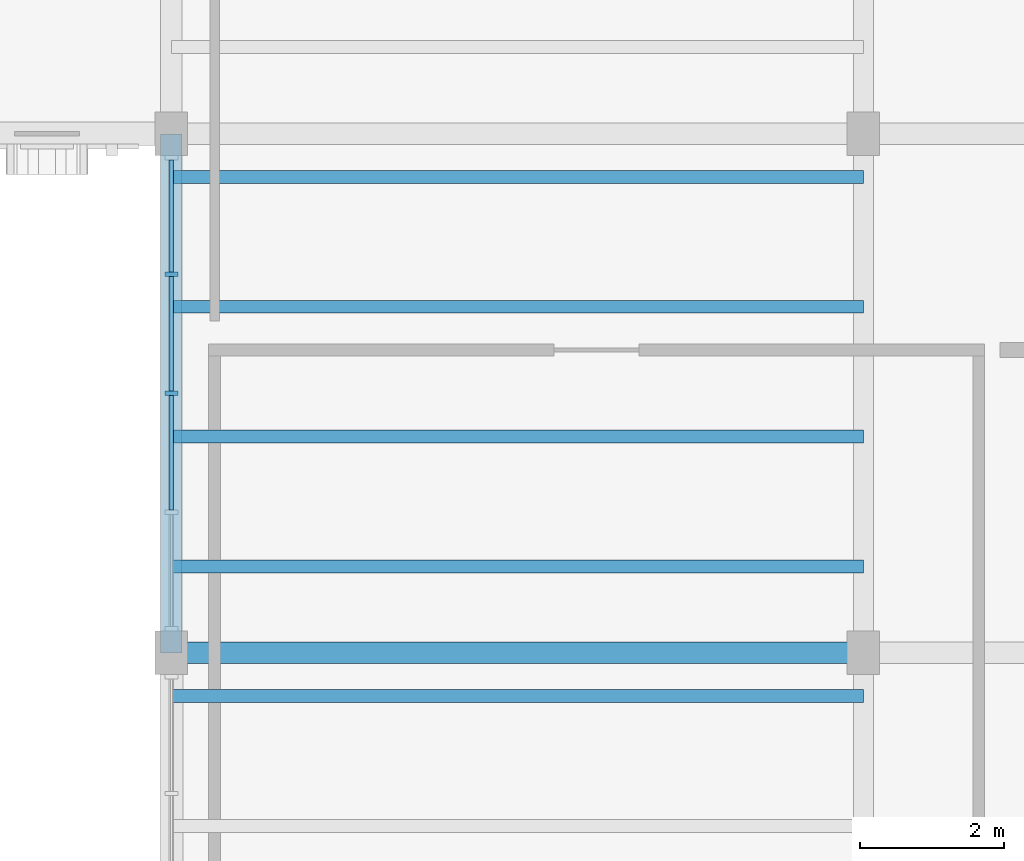
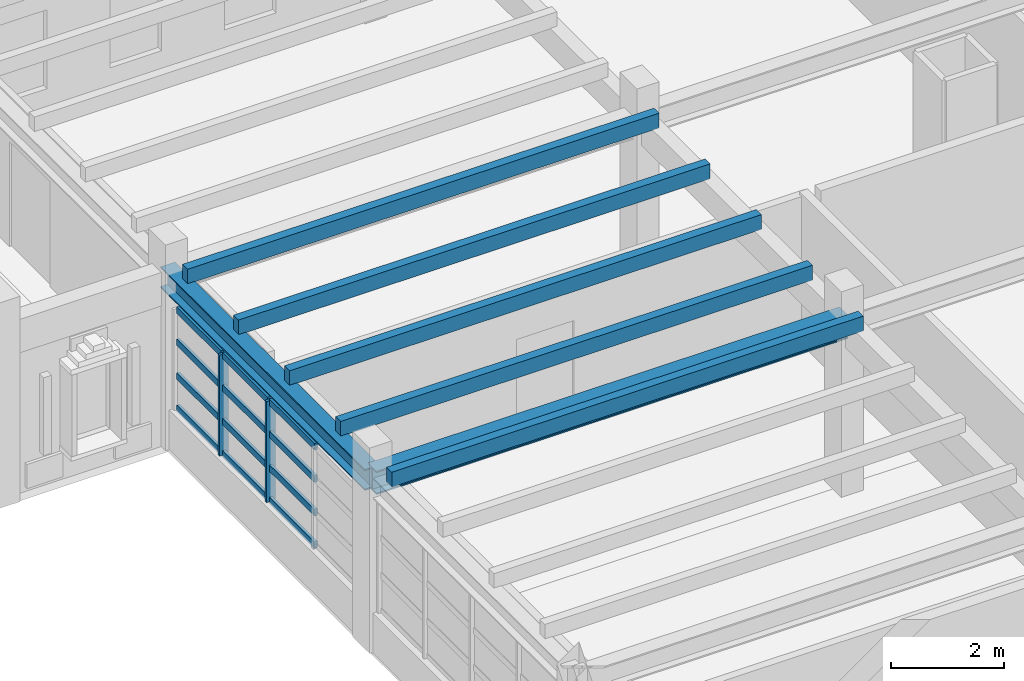
# One storey, part 22 of 69: 19 members, 2 beams, 1 element without a shape of its own.
"""IFC4 building model written with IfcOpenShell, lengths in metres."""

import ifcopenshell
import ifcopenshell.guid

model = None  # the IFC model being written
_history = None  # IfcOwnerHistory: only IFC2X3 demands one
_inside = {}  # id of a spatial element -> (the spatial element, [elements in it])
_under = {}  # id of a project, library or spatial element -> (it, [spatial elements below it])
_declared = {}  # id of a project -> (the project, [libraries it declares])
_typed = {}  # id of a type object -> (the type object, [elements of that type])
_made_of = {}  # id of a material, layer set ... -> (it, [elements and type objects made of it])


def new_model(schema):
    """Start an empty IFC model of exactly this schema.

    Asked for "IFC4X3", IfcOpenShell would pick the latest addendum, in which some entities
    have other attributes; the version numbers below select the first issue.
    IFC2X3 requires an IfcOwnerHistory on every rooted entity: one is made here for all.
    """
    global model, _history
    if schema == "IFC4X3":
        model = ifcopenshell.file(schema_version=(4, 3, 0, 0))
    else:
        model = ifcopenshell.file(schema=schema)
    _inside.clear()
    _under.clear()
    _declared.clear()
    _typed.clear()
    _made_of.clear()
    _history = None
    if model.schema == "IFC2X3":
        org = make("IfcOrganization", Name="unknown")
        user = make(
            "IfcPersonAndOrganization",
            ThePerson=make("IfcPerson", FamilyName="unknown"),
            TheOrganization=org,
        )
        app = make(
            "IfcApplication",
            ApplicationDeveloper=org,
            Version="unknown",
            ApplicationFullName="unknown",
            ApplicationIdentifier="unknown",
        )
        _history = make(
            "IfcOwnerHistory",
            OwningUser=user,
            OwningApplication=app,
            ChangeAction="ADDED",
            CreationDate=0,
        )
    return model


def make(cls, **values):
    """One entity of the class cls with the attributes given. An attribute that is None is left unset."""
    return model.create_entity(
        cls, **{name: value for name, value in values.items() if value is not None}
    )


def rooted(cls, **values):
    """An entity with a GlobalId (a new one), such as an element, a storey or a relation."""
    return make(cls, GlobalId=ifcopenshell.guid.new(), OwnerHistory=_history, **values)


def si_unit(unit_type, name, prefix=None):
    """IfcSIUnit, for example si_unit("LENGTHUNIT", "METRE", prefix="MILLI")."""
    return make("IfcSIUnit", UnitType=unit_type, Prefix=prefix, Name=name)


def assignment(units):
    """IfcUnitAssignment: the units of a project."""
    return None if units is None else make("IfcUnitAssignment", Units=units)


def point(xyz):
    """IfcCartesianPoint."""
    return None if xyz is None else make("IfcCartesianPoint", Coordinates=xyz)


def direction(xyz):
    """IfcDirection."""
    return None if xyz is None else make("IfcDirection", DirectionRatios=xyz)


def frame(location, z_axis=None, x_axis=None):
    """IfcAxis2Placement3D, a coordinate frame: its origin and axes. An axis left out is left unset."""
    return make(
        "IfcAxis2Placement3D",
        Location=point(location),
        Axis=direction(z_axis),
        RefDirection=direction(x_axis),
    )


def frame_2d(location, x_axis=None):
    """IfcAxis2Placement2D, a coordinate frame in the plane: its origin and x axis."""
    return make(
        "IfcAxis2Placement2D", Location=point(location), RefDirection=direction(x_axis)
    )


def origin():
    """The frame at (0, 0, 0) with its axes left unset."""
    return frame((0.0, 0.0, 0.0))


def origin_2d():
    """The frame at (0, 0) in the plane with its x axis left unset."""
    return frame_2d((0.0, 0.0))


def place(relative_to, where):
    """IfcLocalPlacement: puts the frame where relative to a parent placement (None: the world)."""
    return make(
        "IfcLocalPlacement", PlacementRelTo=relative_to, RelativePlacement=where
    )


def context(
    kind, dimensions, precision=None, world=None, true_north=None, identifier=None
):
    """IfcGeometricRepresentationContext, for example the 3D "Model" context."""
    return make(
        "IfcGeometricRepresentationContext",
        ContextIdentifier=identifier,
        ContextType=kind,
        CoordinateSpaceDimension=dimensions,
        Precision=precision,
        WorldCoordinateSystem=world,
        TrueNorth=true_north,
    )


def subcontext(parent, identifier, kind, view, scale=None):
    """IfcGeometricRepresentationSubContext, for example "Body" below "Model"."""
    return make(
        "IfcGeometricRepresentationSubContext",
        ContextIdentifier=identifier,
        ContextType=kind,
        ParentContext=parent,
        TargetScale=scale,
        TargetView=view,
    )


def project(units=None, contexts=None):
    """IfcProject with its units and contexts."""
    return rooted(
        "IfcProject",
        Name="project",
        RepresentationContexts=contexts,
        UnitsInContext=assignment(units),
    )


def spatial(cls, under=None, at=None, **own):
    """A site, building, storey or space (cls), placed at a placement, below another one or the project."""
    s = rooted(cls, ObjectPlacement=at, **own)
    if under is not None:
        _under.setdefault(under.id(), (under, []))[1].append(s)
    return s


def profile(cls, at=None, kind="AREA", **sizes):
    """A parametric profile (cls). Its sizes go by their IFC names, for example OverallWidth=200.0."""
    return make(cls, ProfileType=kind, Position=at, **sizes)


def rectangle(**sizes):
    """IfcRectangleProfileDef."""
    return profile("IfcRectangleProfileDef", **sizes)


def i_section(**sizes):
    """IfcIShapeProfileDef."""
    return profile("IfcIShapeProfileDef", **sizes)


def extrude(swept, where, along, depth):
    """IfcExtrudedAreaSolid: the profile swept, set in the frame where, extruded along a direction by depth."""
    return make(
        "IfcExtrudedAreaSolid",
        SweptArea=swept,
        Position=where,
        ExtrudedDirection=direction(along),
        Depth=depth,
    )


def shape(context_of_items, identifier, shape_type, items):
    """IfcShapeRepresentation: the items that make up one representation, for example the "Body"."""
    return make(
        "IfcShapeRepresentation",
        ContextOfItems=context_of_items,
        RepresentationIdentifier=identifier,
        RepresentationType=shape_type,
        Items=items,
    )


def material(Name=None, Category=None):
    """IfcMaterial."""
    return make("IfcMaterial", Name=Name, Category=Category)


def material_profile(
    of_material, cross_section, Name=None, Category=None, Priority=None
):
    """IfcMaterialProfile: a cross section and its material."""
    return make(
        "IfcMaterialProfile",
        Name=Name,
        Material=of_material,
        Profile=cross_section,
        Priority=Priority,
        Category=Category,
    )


def profile_set(profiles, Name=None, composite=None):
    """IfcMaterialProfileSet."""
    return make(
        "IfcMaterialProfileSet",
        Name=Name,
        MaterialProfiles=profiles,
        CompositeProfile=composite,
    )


def made_of(thing, what):
    """Note that an element or type object is made of a material, layer set ...; save() writes the relation."""
    if what is not None:
        _made_of.setdefault(what.id(), (what, []))[1].append(thing)
    return thing


def type_object(cls, material=None, **own):
    """A type object (cls), such as IfcWallType, which elements share."""
    return made_of(rooted(cls, **own), material)


def element(
    cls,
    number,
    at=None,
    inside=None,
    cuts=None,
    type_object=None,
    material=None,
    context=None,
    identifier="Body",
    shape_type=None,
    held_by="IfcProductDefinitionShape",
    body=None,
    shapes=None,
    **own,
):
    """One element of the class cls, such as IfcWall. Its Tag is "e" and its number.

    at: its placement. inside: the storey or other place that contains it. cuts: it is an
    opening in that element (IfcRelVoidsElement). A single representation is given by context,
    identifier, shape_type and body (its items); several are given by shapes. held_by: the class
    of the entity that holds the representations. save() writes the other relations.
    """
    e = rooted(cls, Tag="e%d" % number, ObjectPlacement=at, **own)
    if body is not None:
        shapes = [shape(context, identifier, shape_type, body)]
    if shapes is not None:
        e.Representation = make(held_by, Representations=shapes)
    if inside is not None:
        _inside.setdefault(inside.id(), (inside, []))[1].append(e)
    if cuts is not None:
        rooted(
            "IfcRelVoidsElement", RelatingBuildingElement=cuts, RelatedOpeningElement=e
        )
    if type_object is not None:
        _typed.setdefault(type_object.id(), (type_object, []))[1].append(e)
    return made_of(e, material)


def aggregate(whole, parts):
    """IfcRelAggregates: a whole, such as a stair, and the parts it consists of."""
    return rooted("IfcRelAggregates", RelatingObject=whole, RelatedObjects=parts)


def save(model, path):
    """Write the relations noted so far, then the file.

    IfcRelAggregates (storeys below a building ...), IfcRelContainedInSpatialStructure (elements
    in a storey), IfcRelDefinesByType, IfcRelAssociatesMaterial and IfcRelDeclares: one each for
    every whole, place, type object, material and project.
    """
    for whole, parts in _under.values():
        aggregate(whole, parts)
    for where, things in _inside.values():
        rooted(
            "IfcRelContainedInSpatialStructure",
            RelatedElements=things,
            RelatingStructure=where,
        )
    for kind, things in _typed.values():
        rooted("IfcRelDefinesByType", RelatedObjects=things, RelatingType=kind)
    for what, things in _made_of.values():
        rooted("IfcRelAssociatesMaterial", RelatedObjects=things, RelatingMaterial=what)
    for by, libraries in _declared.values():
        rooted("IfcRelDeclares", RelatingContext=by, RelatedDefinitions=libraries)
    model.write(path)


model = new_model("IFC4")

# Units and contexts
model_context = context("Model", 3, precision=1e-05, world=origin(), true_north=direction((0.0, 1.0)))
body_context = subcontext(model_context, "Body", "Model", "MODEL_VIEW")
ifc_project = project(units=[si_unit("LENGTHUNIT", "METRE"), si_unit("AREAUNIT", "SQUARE_METRE"), si_unit("VOLUMEUNIT", "CUBIC_METRE"), si_unit("PLANEANGLEUNIT", "RADIAN"), si_unit("MASSUNIT", "GRAM", prefix="KILO")], contexts=[model_context])

# Site, building, storey
site_placement = place(None, origin())
site = spatial("IfcSite", under=ifc_project, at=site_placement, CompositionType="ELEMENT")
building_placement = place(site_placement, origin())
building = spatial("IfcBuilding", under=site, at=building_placement, Name="Nzembalo Square Collegiate School", CompositionType="ELEMENT")
storey_placement = place(building_placement, frame((0.0, 0.0, 5.10009765625)))
storey = spatial("IfcBuildingStorey", under=building, at=storey_placement, Name="L01", CompositionType="ELEMENT", Elevation=5.10009765625)

# Beams
ifc_material_1 = material(Name="Steel S355", Category="steel")
ifc_material_profile_1 = material_profile(ifc_material_1, i_section(OverallWidth=0.300048828125, OverallDepth=0.5, WebThickness=0.014404296875, FlangeThickness=0.028076171875, at=origin_2d()), Name="HEB 500")
ifc_profile_set_1 = profile_set([ifc_material_profile_1], Name="Steel S355")
beam_type_1 = type_object("IfcBeamType", Name="B07", PredefinedType="BEAM", material=ifc_profile_set_1)
beam_1_placement = place(storey_placement, frame((130.800048828125, 97.199951171875, 3.5), z_axis=(1.0, 0.0, 0.0), x_axis=(0.0, 1.0, 0.0)))
element("IfcBeam", 1, at=beam_1_placement, inside=storey, type_object=beam_type_1, Name="Beam B07 L01", PredefinedType="BEAM", context=body_context, shape_type="SweptSolid", body=[
    extrude(i_section(OverallWidth=0.300048828125, OverallDepth=0.5, WebThickness=0.014404296875, FlangeThickness=0.028076171875, at=origin_2d()), origin(), (0.0, 0.0, 1.0), 9.599853515625),
])
ifc_material_2 = material(Name="Steel S355", Category="steel")
ifc_material_profile_2 = material_profile(ifc_material_2, i_section(OverallWidth=0.300048828125, OverallDepth=0.449951171875, WebThickness=0.013916015625, FlangeThickness=0.02587890625, at=origin_2d()), Name="HEB 450")
ifc_profile_set_2 = profile_set([ifc_material_profile_2], Name="Steel S355")
beam_type_2 = type_object("IfcBeamType", Name="B08", PredefinedType="BEAM", material=ifc_profile_set_2)
beam_2_placement = place(storey_placement, frame((130.800048828125, 97.199951171875, 3.52490234375), z_axis=(0.0, 1.0, 0.0), x_axis=(-1.0, 0.0, 0.0)))
element("IfcBeam", 2, at=beam_2_placement, inside=storey, type_object=beam_type_2, Name="Beam B08 L01", PredefinedType="BEAM", context=body_context, shape_type="SweptSolid", body=[
    extrude(i_section(OverallWidth=0.300048828125, OverallDepth=0.449951171875, WebThickness=0.013916015625, FlangeThickness=0.02587890625, at=origin_2d()), origin(), (0.0, 0.0, 1.0), 7.199951171875),
])

# Curtain wall, members
ifc_material_3 = material(Name="Aluminium 6060-T66", Category="aluminium")
curtain_wall_type = type_object("IfcCurtainWallType", Name="CW-02", PredefinedType="USERDEFINED", material=ifc_material_3)
curtain_wall_placement = place(storey_placement, origin())
curtain_wall = element("IfcCurtainWall", 3, at=curtain_wall_placement, inside=storey, type_object=curtain_wall_type, Name="Curtain wall CW-02 cw:L01:073", ObjectType="UNITISED", PredefinedType="USERDEFINED")
ifc_material_4 = material(Name="Aluminium 6060-T66", Category="aluminium")
ifc_material_profile_3 = material_profile(ifc_material_4, rectangle(XDim=0.06005859375, YDim=0.179931640625, at=origin_2d()), Name="ALU M60x180")
ifc_profile_set_3 = profile_set([ifc_material_profile_3], Name="Aluminium 6060-T66")
member_type_1 = type_object("IfcMemberType", Name="ML01", PredefinedType="MULLION", material=ifc_profile_set_3)
member_1_placement = place(storey_placement, frame((130.800048828125, 100.800048828125, 0.849853515625), z_axis=(0.0, 0.0, 1.0), x_axis=(0.0, 1.0, 0.0)))
member_1 = element("IfcMember", 4, at=member_1_placement, type_object=member_type_1, Name="ML01 mullion 3", PredefinedType="MULLION", context=body_context, shape_type="SweptSolid", body=[
    extrude(rectangle(XDim=0.06005859375, YDim=0.179931640625, at=origin_2d()), origin(), (0.0, 0.0, 1.0), 2.174072265625),
])
member_2_placement = place(storey_placement, frame((130.800048828125, 102.448974609375, 0.849853515625), z_axis=(0.0, 0.0, 1.0), x_axis=(0.0, 1.0, 0.0)))
member_2 = element("IfcMember", 5, at=member_2_placement, type_object=member_type_1, Name="ML01 mullion 4", PredefinedType="MULLION", context=body_context, shape_type="SweptSolid", body=[
    extrude(rectangle(XDim=0.06005859375, YDim=0.179931640625, at=origin_2d()), origin(), (0.0, 0.0, 1.0), 2.174072265625),
])
ifc_material_5 = material(Name="Aluminium 6060-T66", Category="aluminium")
ifc_material_profile_4 = material_profile(ifc_material_5, rectangle(XDim=0.06005859375, YDim=0.139892578125, at=origin_2d()), Name="ALU T60x140")
ifc_profile_set_4 = profile_set([ifc_material_profile_4], Name="Aluminium 6060-T66")
member_type_2 = type_object("IfcMemberType", Name="TR01", PredefinedType="USERDEFINED", material=ifc_profile_set_4)
member_3_placement = place(storey_placement, frame((130.800048828125, 99.180908203125, 0.8798828125), z_axis=(0.0, 1.0, 0.0), x_axis=(-1.0, 0.0, 0.0)))
member_3 = element("IfcMember", 6, at=member_3_placement, type_object=member_type_2, Name="TR01 transom 1-2", ObjectType="TRANSOM", PredefinedType="USERDEFINED", context=body_context, shape_type="SweptSolid", body=[
    extrude(rectangle(XDim=0.06005859375, YDim=0.139892578125, at=origin_2d()), origin(), (0.0, 0.0, 1.0), 1.589111328125),
])
member_4_placement = place(storey_placement, frame((130.800048828125, 100.830078125, 0.8798828125), z_axis=(0.0, 1.0, 0.0), x_axis=(-1.0, 0.0, 0.0)))
member_4 = element("IfcMember", 7, at=member_4_placement, type_object=member_type_2, Name="TR01 transom 1-3", ObjectType="TRANSOM", PredefinedType="USERDEFINED", context=body_context, shape_type="SweptSolid", body=[
    extrude(rectangle(XDim=0.06005859375, YDim=0.139892578125, at=origin_2d()), origin(), (0.0, 0.0, 1.0), 1.5888671875),
])
member_5_placement = place(storey_placement, frame((130.800048828125, 102.47900390625, 0.8798828125), z_axis=(0.0, 1.0, 0.0), x_axis=(-1.0, 0.0, 0.0)))
member_5 = element("IfcMember", 8, at=member_5_placement, type_object=member_type_2, Name="TR01 transom 1-4", ObjectType="TRANSOM", PredefinedType="USERDEFINED", context=body_context, shape_type="SweptSolid", body=[
    extrude(rectangle(XDim=0.06005859375, YDim=0.139892578125, at=origin_2d()), origin(), (0.0, 0.0, 1.0), 1.55908203125),
])
member_6_placement = place(storey_placement, frame((130.800048828125, 99.180908203125, 1.574462890625), z_axis=(0.0, 1.0, 0.0), x_axis=(-1.0, 0.0, 0.0)))
member_6 = element("IfcMember", 9, at=member_6_placement, type_object=member_type_2, Name="TR01 transom 2-2", ObjectType="TRANSOM", PredefinedType="USERDEFINED", context=body_context, shape_type="SweptSolid", body=[
    extrude(rectangle(XDim=0.06005859375, YDim=0.139892578125, at=origin_2d()), origin(), (0.0, 0.0, 1.0), 1.589111328125),
])
member_7_placement = place(storey_placement, frame((130.800048828125, 100.830078125, 1.574462890625), z_axis=(0.0, 1.0, 0.0), x_axis=(-1.0, 0.0, 0.0)))
member_7 = element("IfcMember", 10, at=member_7_placement, type_object=member_type_2, Name="TR01 transom 2-3", ObjectType="TRANSOM", PredefinedType="USERDEFINED", context=body_context, shape_type="SweptSolid", body=[
    extrude(rectangle(XDim=0.06005859375, YDim=0.139892578125, at=origin_2d()), origin(), (0.0, 0.0, 1.0), 1.5888671875),
])
member_8_placement = place(storey_placement, frame((130.800048828125, 102.47900390625, 1.574462890625), z_axis=(0.0, 1.0, 0.0), x_axis=(-1.0, 0.0, 0.0)))
member_8 = element("IfcMember", 11, at=member_8_placement, type_object=member_type_2, Name="TR01 transom 2-4", ObjectType="TRANSOM", PredefinedType="USERDEFINED", context=body_context, shape_type="SweptSolid", body=[
    extrude(rectangle(XDim=0.06005859375, YDim=0.139892578125, at=origin_2d()), origin(), (0.0, 0.0, 1.0), 1.55908203125),
])
member_9_placement = place(storey_placement, frame((130.800048828125, 99.180908203125, 2.29931640625), z_axis=(0.0, 1.0, 0.0), x_axis=(-1.0, 0.0, 0.0)))
member_9 = element("IfcMember", 12, at=member_9_placement, type_object=member_type_2, Name="TR01 transom 3-2", ObjectType="TRANSOM", PredefinedType="USERDEFINED", context=body_context, shape_type="SweptSolid", body=[
    extrude(rectangle(XDim=0.06005859375, YDim=0.139892578125, at=origin_2d()), origin(), (0.0, 0.0, 1.0), 1.589111328125),
])
member_10_placement = place(storey_placement, frame((130.800048828125, 100.830078125, 2.29931640625), z_axis=(0.0, 1.0, 0.0), x_axis=(-1.0, 0.0, 0.0)))
member_10 = element("IfcMember", 13, at=member_10_placement, type_object=member_type_2, Name="TR01 transom 3-3", ObjectType="TRANSOM", PredefinedType="USERDEFINED", context=body_context, shape_type="SweptSolid", body=[
    extrude(rectangle(XDim=0.06005859375, YDim=0.139892578125, at=origin_2d()), origin(), (0.0, 0.0, 1.0), 1.5888671875),
])
member_11_placement = place(storey_placement, frame((130.800048828125, 102.47900390625, 2.29931640625), z_axis=(0.0, 1.0, 0.0), x_axis=(-1.0, 0.0, 0.0)))
member_11 = element("IfcMember", 14, at=member_11_placement, type_object=member_type_2, Name="TR01 transom 3-4", ObjectType="TRANSOM", PredefinedType="USERDEFINED", context=body_context, shape_type="SweptSolid", body=[
    extrude(rectangle(XDim=0.06005859375, YDim=0.139892578125, at=origin_2d()), origin(), (0.0, 0.0, 1.0), 1.55908203125),
])
member_12_placement = place(storey_placement, frame((130.800048828125, 99.180908203125, 2.993896484375), z_axis=(0.0, 1.0, 0.0), x_axis=(-1.0, 0.0, 0.0)))
member_12 = element("IfcMember", 15, at=member_12_placement, type_object=member_type_2, Name="TR01 transom 4-2", ObjectType="TRANSOM", PredefinedType="USERDEFINED", context=body_context, shape_type="SweptSolid", body=[
    extrude(rectangle(XDim=0.06005859375, YDim=0.139892578125, at=origin_2d()), origin(), (0.0, 0.0, 1.0), 1.589111328125),
])
member_13_placement = place(storey_placement, frame((130.800048828125, 100.830078125, 2.993896484375), z_axis=(0.0, 1.0, 0.0), x_axis=(-1.0, 0.0, 0.0)))
member_13 = element("IfcMember", 16, at=member_13_placement, type_object=member_type_2, Name="TR01 transom 4-3", ObjectType="TRANSOM", PredefinedType="USERDEFINED", context=body_context, shape_type="SweptSolid", body=[
    extrude(rectangle(XDim=0.06005859375, YDim=0.139892578125, at=origin_2d()), origin(), (0.0, 0.0, 1.0), 1.5888671875),
])
member_14_placement = place(storey_placement, frame((130.800048828125, 102.47900390625, 2.993896484375), z_axis=(0.0, 1.0, 0.0), x_axis=(-1.0, 0.0, 0.0)))
member_14 = element("IfcMember", 17, at=member_14_placement, type_object=member_type_2, Name="TR01 transom 4-4", ObjectType="TRANSOM", PredefinedType="USERDEFINED", context=body_context, shape_type="SweptSolid", body=[
    extrude(rectangle(XDim=0.06005859375, YDim=0.139892578125, at=origin_2d()), origin(), (0.0, 0.0, 1.0), 1.55908203125),
])
aggregate(curtain_wall, [member_1, member_2, member_3, member_4, member_5, member_6, member_7, member_8, member_9, member_10, member_11, member_12, member_13, member_14])

# Members
ifc_material_6 = material(Name="Glulam GL28h", Category="wood")
ifc_material_profile_5 = material_profile(ifc_material_6, rectangle(XDim=0.179931640625, YDim=0.320068359375, at=origin_2d()), Name="GL28h 180x320")
ifc_profile_set_5 = profile_set([ifc_material_profile_5], Name="Glulam GL28h")
member_type_3 = type_object("IfcMemberType", Name="PR01", PredefinedType="PURLIN", material=ifc_profile_set_5)
for number, where, z_axis, x_axis, name in (
    (18, (130.800048828125, 96.60009765625, 3.89990234375), (1.0, 0.0, 0.0), (0.0, 1.0, 0.0), "Planted roof purlin PR01-ENW-04"),
    (19, (130.800048828125, 98.39990234375, 3.89990234375), (1.0, 0.0, 0.0), (0.0, 1.0, 0.0), "Planted roof purlin PR01-ENW-05"),
    (20, (130.800048828125, 100.199951171875, 3.89990234375), (1.0, 0.0, 0.0), (0.0, 1.0, 0.0), "Planted roof purlin PR01-ENW-06"),
    (21, (130.800048828125, 102.0, 3.89990234375), (1.0, 0.0, 0.0), (0.0, 1.0, 0.0), "Planted roof purlin PR01-ENW-07"),
    (22, (130.800048828125, 103.800048828125, 3.89990234375), (1.0, 0.0, 0.0), (0.0, 1.0, 0.0), "Planted roof purlin PR01-ENW-08"),
):
    element("IfcMember", number, at=place(storey_placement, frame(where, z_axis=z_axis, x_axis=x_axis)), inside=storey, type_object=member_type_3, Name=name, PredefinedType="PURLIN", context=body_context, shape_type="SweptSolid", body=[
        extrude(rectangle(XDim=0.179931640625, YDim=0.320068359375, at=origin_2d()), origin(), (0.0, 0.0, 1.0), 9.599853515625),
    ])

save(model, "model.ifc")
